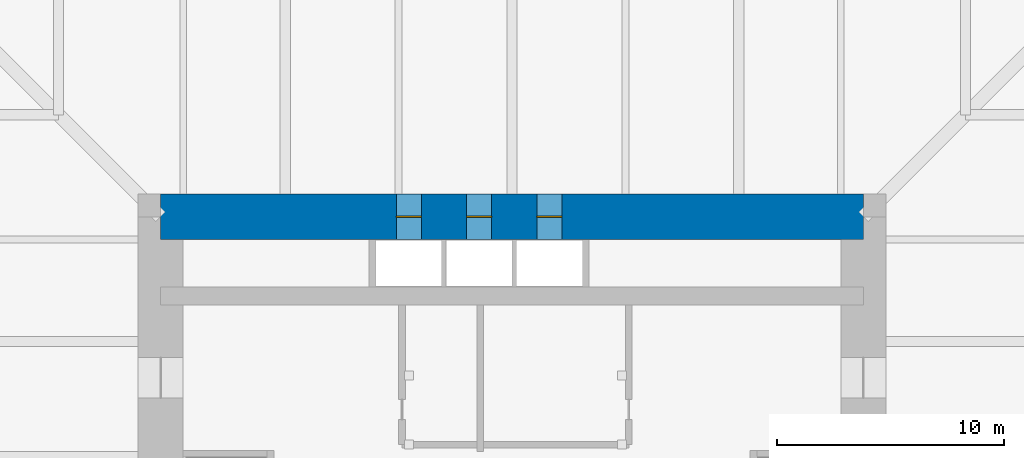
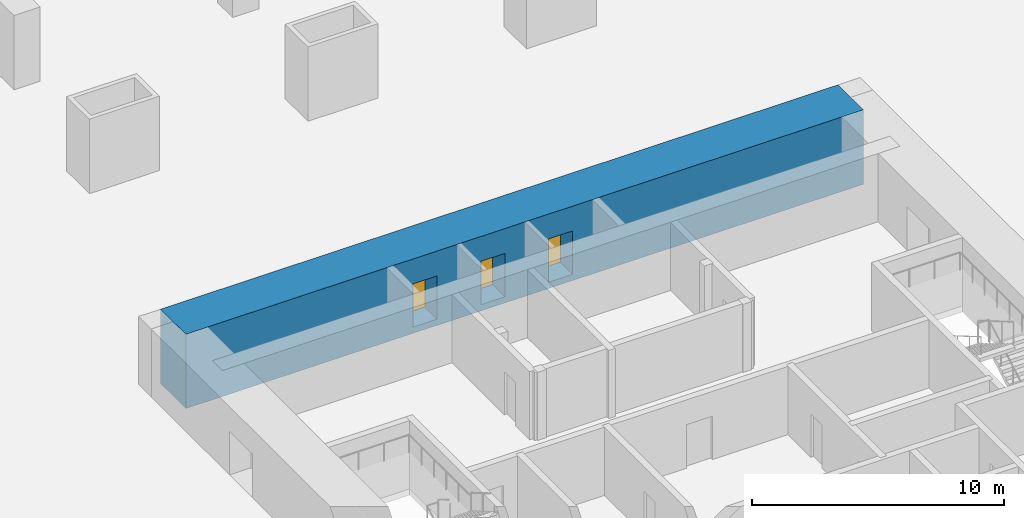
# One storey, part 8 of 11: 3 doors, 1 wall, 3 openings.
"""IFC4 building model written with IfcOpenShell, lengths in metres."""

from ifc_helpers import new_model, si_unit, direction, frame, frame_2d, origin, place, context, subcontext, project, spatial, rectangle, extrude, material, layer, layer_set, type_object, element, fill, save


model = new_model("IFC4")

# Units and contexts
model_context = context("Model", 3, precision=1e-05, world=origin(), true_north=direction((0.0, 1.0)))
body_context = subcontext(model_context, "Body", "Model", "MODEL_VIEW")
ifc_project = project(units=[si_unit("LENGTHUNIT", "METRE"), si_unit("AREAUNIT", "SQUARE_METRE"), si_unit("VOLUMEUNIT", "CUBIC_METRE"), si_unit("PLANEANGLEUNIT", "RADIAN"), si_unit("MASSUNIT", "GRAM", prefix="KILO")], contexts=[model_context])

# Site, building, storey
site_placement = place(None, origin())
site = spatial("IfcSite", under=ifc_project, at=site_placement, CompositionType="ELEMENT")
building_placement = place(site_placement, origin())
building = spatial("IfcBuilding", under=site, at=building_placement, Name="Khuree Lantern Residences", CompositionType="ELEMENT")
storey_placement = place(building_placement, frame((0.0, 0.0, -9.0)))
storey = spatial("IfcBuildingStorey", under=building, at=storey_placement, Name="B2", CompositionType="ELEMENT", Elevation=-9.0)

# Wall, openings, doors
ifc_material_1 = material(Name="Concrete C70/85", Category="concrete")
ifc_layer = layer(ifc_material_1, 2.0)
ifc_layer_set = layer_set([ifc_layer], Name="CW2000-C70 CORE WALL C70 2000")
wall_type = type_object("IfcWallType", Name="CW2000-C70 CORE WALL C70 2000", PredefinedType="SHEAR", material=ifc_layer_set)
wall_placement = place(storey_placement, frame((-15.5, 15.5, -0.300048828125), z_axis=(0.0, 0.0, 1.0), x_axis=(1.0, 0.0, 0.0)))
wall = element("IfcWall", 1, at=wall_placement, inside=storey, type_object=wall_type, Name="Core wall N", PredefinedType="SHEAR", context=body_context, shape_type="SweptSolid", body=[
    extrude(rectangle(XDim=31.0, YDim=2.0, at=frame_2d((15.5, 0.0))), origin(), (0.0, 0.0, 1.0), 3.60009765625),
])
opening_1_placement = place(wall_placement, frame((10.39990234375, 0.0, 0.300048828125)))
opening_1 = element("IfcOpeningElement", 2, at=opening_1_placement, cuts=wall, Name="Opening B2-009", PredefinedType="OPENING", context=body_context, shape_type="SweptSolid", body=[
    extrude(rectangle(XDim=1.10009765625, YDim=2.10009765625, at=frame_2d((0.550048828125, 1.050048828125))), frame((0.0, 1.010009765625, 0.0), z_axis=(0.0, -1.0, 0.0), x_axis=(1.0, 0.0, 0.0)), (0.0, 0.0, 1.0), 2.02001953125),
])
opening_2_placement = place(wall_placement, frame((13.5, 0.0, 0.300048828125)))
opening_2 = element("IfcOpeningElement", 3, at=opening_2_placement, cuts=wall, Name="Opening B2-010", PredefinedType="OPENING", context=body_context, shape_type="SweptSolid", body=[
    extrude(rectangle(XDim=1.10009765625, YDim=2.10009765625, at=frame_2d((0.550048828125, 1.050048828125))), frame((0.0, 1.010009765625, 0.0), z_axis=(0.0, -1.0, 0.0), x_axis=(1.0, 0.0, 0.0)), (0.0, 0.0, 1.0), 2.02001953125),
])
opening_3_placement = place(wall_placement, frame((16.60009765625, 0.0, 0.300048828125)))
opening_3 = element("IfcOpeningElement", 4, at=opening_3_placement, cuts=wall, Name="Opening B2-011", PredefinedType="OPENING", context=body_context, shape_type="SweptSolid", body=[
    extrude(rectangle(XDim=1.10009765625, YDim=2.10009765625, at=frame_2d((0.550048828125, 1.050048828125))), frame((0.0, 1.010009765625, 0.0), z_axis=(0.0, -1.0, 0.0), x_axis=(1.0, 0.0, 0.0)), (0.0, 0.0, 1.0), 2.02001953125),
])
ifc_material_2 = material(Name="Stainless steel lift landing door", Category="steel")
door_type = type_object("IfcDoorType", Name="LIFT LANDING DOOR 1100X2100 E 60", OperationType="DOUBLE_DOOR_SLIDING", PredefinedType="DOOR", material=ifc_material_2)
door_1_placement = place(opening_1_placement, origin())
door_1 = element("IfcDoor", 5, at=door_1_placement, inside=storey, type_object=door_type, Name="Landing door PL1 B2-009", OperationType="DOUBLE_DOOR_SLIDING", OverallHeight=2.10009765625, OverallWidth=1.10009765625, PredefinedType="DOOR", context=body_context, shape_type="SweptSolid", body=[
    extrude(rectangle(XDim=1.10009765625, YDim=2.10009765625, at=frame_2d((0.550048828125, 1.050048828125))), frame((0.0, 0.02490234375, 0.0), z_axis=(0.0, -1.0, 0.0), x_axis=(1.0, 0.0, 0.0)), (0.0, 0.0, 1.0), 0.050048828125),
])
fill(opening_1, door_1)
door_2_placement = place(opening_2_placement, origin())
door_2 = element("IfcDoor", 6, at=door_2_placement, inside=storey, type_object=door_type, Name="Landing door PL2 B2-010", OperationType="DOUBLE_DOOR_SLIDING", OverallHeight=2.10009765625, OverallWidth=1.10009765625, PredefinedType="DOOR", context=body_context, shape_type="SweptSolid", body=[
    extrude(rectangle(XDim=1.10009765625, YDim=2.10009765625, at=frame_2d((0.550048828125, 1.050048828125))), frame((0.0, 0.02490234375, 0.0), z_axis=(0.0, -1.0, 0.0), x_axis=(1.0, 0.0, 0.0)), (0.0, 0.0, 1.0), 0.050048828125),
])
fill(opening_2, door_2)
door_3_placement = place(opening_3_placement, origin())
door_3 = element("IfcDoor", 7, at=door_3_placement, inside=storey, type_object=door_type, Name="Landing door PL3 B2-011", OperationType="DOUBLE_DOOR_SLIDING", OverallHeight=2.10009765625, OverallWidth=1.10009765625, PredefinedType="DOOR", context=body_context, shape_type="SweptSolid", body=[
    extrude(rectangle(XDim=1.10009765625, YDim=2.10009765625, at=frame_2d((0.550048828125, 1.050048828125))), frame((0.0, 0.02490234375, 0.0), z_axis=(0.0, -1.0, 0.0), x_axis=(1.0, 0.0, 0.0)), (0.0, 0.0, 1.0), 0.050048828125),
])
fill(opening_3, door_3)

save(model, "model.ifc")
